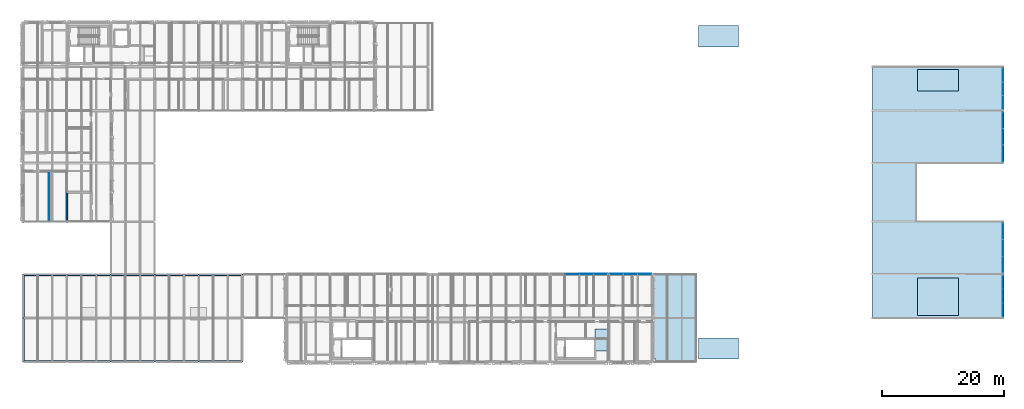
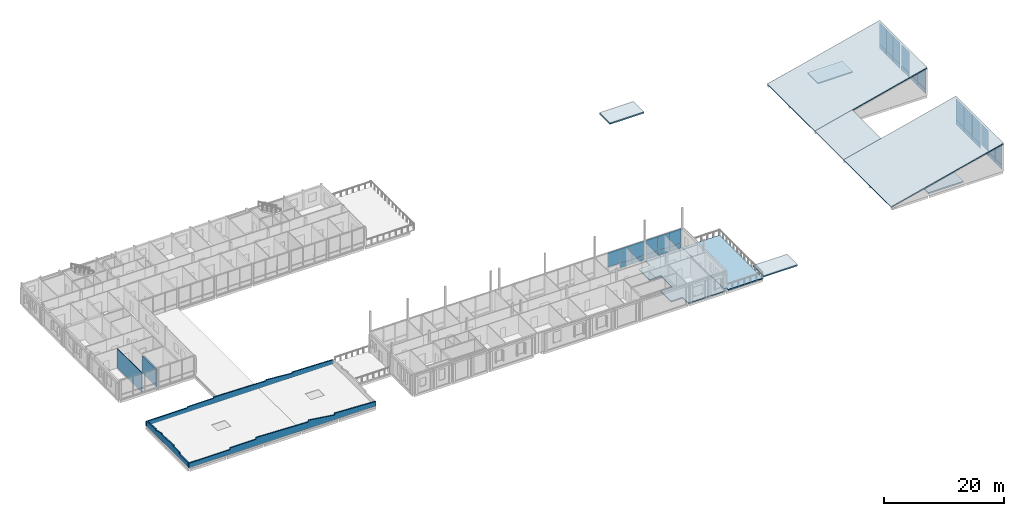
# One storey, part 35 of 57: 35 plates, 9 slabs, 5 walls, 6 elements without a shape of their own.
"""IFC4 building model written with IfcOpenShell, lengths in metres."""

from ifc_helpers import new_model, si_unit, direction, frame, frame_2d, origin, origin_2d, place, context, subcontext, project, spatial, polyline, rectangle, outline, extrude, material, layer, layer_set, type_object, element, aggregate, save


model = new_model("IFC4")

# Units and contexts
model_context = context("Model", 3, precision=1e-05, world=origin(), true_north=direction((0.0, 1.0)))
body_context = subcontext(model_context, "Body", "Model", "MODEL_VIEW")
ifc_project = project(units=[si_unit("LENGTHUNIT", "METRE"), si_unit("AREAUNIT", "SQUARE_METRE"), si_unit("VOLUMEUNIT", "CUBIC_METRE"), si_unit("PLANEANGLEUNIT", "RADIAN"), si_unit("MASSUNIT", "GRAM", prefix="KILO")], contexts=[model_context])

# Site, building, storey
site_placement = place(None, origin())
site = spatial("IfcSite", under=ifc_project, at=site_placement, CompositionType="ELEMENT")
building_placement = place(site_placement, origin())
building = spatial("IfcBuilding", under=site, at=building_placement, Name="Hawrajan Terrace Health Centre", CompositionType="ELEMENT")
storey_placement = place(building_placement, frame((0.0, 0.0, 13.199951171875)))
storey = spatial("IfcBuildingStorey", under=building, at=storey_placement, Name="L03", CompositionType="ELEMENT", Elevation=13.199951171875)

# Curtain wall, plates
ifc_material_1 = material(Name="Anodized bronze aluminium and low-E solar glazing", Category="aluminium")
curtain_wall_type_1 = type_object("IfcCurtainWallType", Name="CW_Pavilion_SeriesE1", PredefinedType="USERDEFINED", material=ifc_material_1)
curtain_wall_1_placement = place(storey_placement, origin())
curtain_wall_1 = element("IfcCurtainWall", 1, at=curtain_wall_1_placement, inside=storey, type_object=curtain_wall_type_1, Name="Curtain wall CW-L03-V6E-188", ObjectType="UNITISED CURTAIN WALL", PredefinedType="USERDEFINED")
ifc_material_2 = material(Name="Diffused north-light insulated glazing", Category="glass")
ifc_layer_1 = layer(ifc_material_2, 0.031982421875)
ifc_layer_set_1 = layer_set([ifc_layer_1], Name="Diffused north-light insulated glazing")
plate_type_1 = type_object("IfcPlateType", Name="ClerestoryGlassPanel_32", PredefinedType="CURTAIN_PANEL", material=ifc_layer_set_1)
plate_1_placement = place(storey_placement, frame((165.260009765625, 38.37841796875, 0.83154296875), z_axis=(0.0, 0.0, 1.0), x_axis=(0.0, 1.0, 0.0)))
plate_1 = element("IfcPlate", 2, at=plate_1_placement, type_object=plate_type_1, Name="Curtain panel CW-L03-V6E-188-P1-2", PredefinedType="CURTAIN_PANEL", context=body_context, shape_type="SweptSolid", body=[
    extrude(rectangle(XDim=2.65869140625, YDim=0.031982421875, at=origin_2d()), origin(), (0.0, 0.0, 1.0), 4.284912109375),
])
plate_2_placement = place(storey_placement, frame((165.260009765625, 41.10009765625, 0.83154296875), z_axis=(0.0, 0.0, 1.0), x_axis=(0.0, 1.0, 0.0)))
plate_2 = element("IfcPlate", 3, at=plate_2_placement, type_object=plate_type_1, Name="Curtain panel CW-L03-V6E-188-P2-2", PredefinedType="CURTAIN_PANEL", context=body_context, shape_type="SweptSolid", body=[
    extrude(rectangle(XDim=2.65869140625, YDim=0.031982421875, at=origin_2d()), origin(), (0.0, 0.0, 1.0), 4.284912109375),
])
plate_3_placement = place(storey_placement, frame((165.260009765625, 43.82177734375, 0.83154296875), z_axis=(0.0, 0.0, 1.0), x_axis=(0.0, 1.0, 0.0)))
plate_3 = element("IfcPlate", 4, at=plate_3_placement, type_object=plate_type_1, Name="Curtain panel CW-L03-V6E-188-P3-2", PredefinedType="CURTAIN_PANEL", context=body_context, shape_type="SweptSolid", body=[
    extrude(rectangle(XDim=2.65869140625, YDim=0.031982421875, at=origin_2d()), origin(), (0.0, 0.0, 1.0), 4.284912109375),
])

# Slabs
ifc_material_3 = material(Name="Cross-laminated timber CLT C24", Category="wood")
ifc_layer_2 = layer(ifc_material_3, 0.2099609375)
ifc_layer_set_2 = layer_set([ifc_layer_2], Name="Cross-laminated timber CLT C24")
slab_type_1 = type_object("IfcSlabType", Name="FloorSlab_CLT210", PredefinedType="FLOOR", material=ifc_layer_set_2)
slab_1_placement = place(storey_placement, frame((0.0, 0.0, -0.2099609375)))
element("IfcSlab", 5, at=slab_1_placement, inside=storey, type_object=slab_type_1, Name="Structural slab SL-L03-C-V3-Z4-1", PredefinedType="FLOOR", context=body_context, shape_type="SweptSolid", body=[
    extrude(outline(polyline([(100.8798828125, 18.320068359375), (100.8798828125, 18.60009765625), (107.800048828125, 18.60009765625), (107.800048828125, 11.39990234375), (107.800048828125, 4.75), (107.800048828125, 4.199951171875), (100.60205078125, 4.199951171875), (100.60205078125, 6.001953125), (98.39990234375, 6.001953125), (98.39990234375, 7.998046875), (98.402099609375, 7.998046875), (98.402099609375, 9.597900390625), (100.60205078125, 9.597900390625), (100.60205078125, 13.201904296875), (98.402099609375, 13.201904296875), (98.402099609375, 16.798095703125), (100.60205078125, 16.798095703125), (100.60205078125, 18.320068359375), (100.8798828125, 18.320068359375)])), origin(), (0.0, 0.0, 1.0), 0.2099609375),
])
ifc_layer_3 = layer(ifc_material_3, 0.199951171875)
ifc_layer_set_3 = layer_set([ifc_layer_3], Name="Cross-laminated timber CLT C24")
slab_type_2 = type_object("IfcSlabType", Name="RoofSlab_Shed200", PredefinedType="ROOF", material=ifc_layer_set_3)
slab_2_placement = place(storey_placement, frame((143.800048828125, 11.39990234375, 0.0), z_axis=(-0.24192399787, 0.0, 0.970295202119), x_axis=(0.970295202119, 0.0, 0.24192399787)))
element("IfcSlab", 6, at=slab_2_placement, inside=storey, type_object=slab_type_2, Name="Therapy Pavilion sloped roof SOUTH", PredefinedType="ROOF", context=body_context, shape_type="SweptSolid", body=[
    extrude(outline(polyline([(0.0, 0.0), (22.261115450699055, 0.0), (22.261115450699055, 15.800048828125), (0.0, 15.800048828125), (0.0, 0.0)])), origin(), (0.0, 0.0, -1.0), 0.199951171875),
])
slab_3_placement = place(storey_placement, frame((143.800048828125, 27.199951171875, 0.0), z_axis=(-0.24192399787, 0.0, 0.970295202119), x_axis=(0.970295202119, 0.0, 0.24192399787)))
element("IfcSlab", 7, at=slab_3_placement, inside=storey, type_object=slab_type_2, Name="Therapy Pavilion sloped roof WEST", PredefinedType="ROOF", context=body_context, shape_type="SweptSolid", body=[
    extrude(outline(polyline([(0.0, 0.0), (7.420371816899685, 0.0), (7.420371816899685, 9.600097656250002), (0.0, 9.600097656250002), (0.0, 0.0)])), origin(), (0.0, 0.0, -1.0), 0.199951171875),
])
slab_4_placement = place(storey_placement, frame((143.800048828125, 36.800048828125, 0.0), z_axis=(-0.24192399787, 0.0, 0.970295202119), x_axis=(0.970295202119, 0.0, 0.24192399787)))
element("IfcSlab", 8, at=slab_4_placement, inside=storey, type_object=slab_type_2, Name="Therapy Pavilion sloped roof NORTH", PredefinedType="ROOF", context=body_context, shape_type="SweptSolid", body=[
    extrude(outline(polyline([(0.0, 0.0), (22.261115450699055, 0.0), (22.261115450699055, 15.800048828125), (0.0, 15.800048828125), (0.0, 0.0)])), origin(), (0.0, 0.0, -1.0), 0.199951171875),
])
ifc_layer_4 = layer(ifc_material_3, 0.25)
ifc_layer_set_4 = layer_set([ifc_layer_4], Name="Cross-laminated timber CLT C24")
slab_type_3 = type_object("IfcSlabType", Name="RoofSlab_Ziggurat250", PredefinedType="ROOF", material=ifc_layer_set_4)
slab_5_placement = place(storey_placement, frame((0.0, 0.0, -0.25)))
element("IfcSlab", 9, at=slab_5_placement, inside=storey, type_object=slab_type_3, Name="Protected Stair S6 penthouse cap slab", PredefinedType="ROOF", context=body_context, shape_type="SweptSolid", body=[
    extrude(outline(polyline([(115.39990234375, 4.64990234375), (121.949951171875, 4.64990234375), (121.949951171875, 8.14990234375), (115.39990234375, 8.14990234375), (115.39990234375, 4.64990234375)])), origin(), (0.0, 0.0, 1.0), 0.25),
])
slab_6_placement = place(storey_placement, frame((0.0, 0.0, -0.25)))
element("IfcSlab", 10, at=slab_6_placement, inside=storey, type_object=slab_type_3, Name="Protected Stair S7 penthouse cap slab", PredefinedType="ROOF", context=body_context, shape_type="SweptSolid", body=[
    extrude(outline(polyline([(115.39990234375, 55.85009765625), (121.949951171875, 55.85009765625), (121.949951171875, 59.35009765625), (115.39990234375, 59.35009765625), (115.39990234375, 55.85009765625)])), origin(), (0.0, 0.0, 1.0), 0.25),
])
slab_7_placement = place(storey_placement, frame((0.0, 0.0, -0.25)))
element("IfcSlab", 11, at=slab_7_placement, inside=storey, type_object=slab_type_3, Name="Stair S8 and Lift LC-06 shaft cap slab", PredefinedType="ROOF", context=body_context, shape_type="SweptSolid", body=[
    extrude(outline(polyline([(151.25, 11.85009765625), (157.949951171875, 11.85009765625), (157.949951171875, 17.949951171875), (151.25, 17.949951171875), (151.25, 11.85009765625)])), origin(), (0.0, 0.0, 1.0), 0.25),
])
slab_8_placement = place(storey_placement, frame((0.0, 0.0, -0.25)))
element("IfcSlab", 12, at=slab_8_placement, inside=storey, type_object=slab_type_3, Name="Stair S9 shaft cap slab", PredefinedType="ROOF", context=body_context, shape_type="SweptSolid", body=[
    extrude(outline(polyline([(151.25, 48.64990234375), (157.949951171875, 48.64990234375), (157.949951171875, 52.14990234375), (151.25, 52.14990234375), (151.25, 48.64990234375)])), origin(), (0.0, 0.0, 1.0), 0.25),
])

# Curtain wall, plates
curtain_wall_type_2 = type_object("IfcCurtainWallType", Name="CW_Court_SeriesB1", PredefinedType="USERDEFINED", material=ifc_material_1)
curtain_wall_2_placement = place(storey_placement, origin())
curtain_wall_2 = element("IfcCurtainWall", 13, at=curtain_wall_2_placement, inside=storey, type_object=curtain_wall_type_2, Name="Curtain wall CW-L03-172", ObjectType="UNITISED CURTAIN WALL", PredefinedType="USERDEFINED")
ifc_material_4 = material(Name="Insulated anodized bronze spandrel panel")
ifc_layer_5 = layer(ifc_material_4, 0.048095703125)
ifc_layer_set_5 = layer_set([ifc_layer_5], Name="Insulated anodized bronze spandrel panel")
plate_type_2 = type_object("IfcPlateType", Name="SpandrelPanel_Bronze48", PredefinedType="CURTAIN_PANEL", material=ifc_layer_set_5)
plate_4_placement = place(storey_placement, frame((101.91162109375, 18.60009765625, 0.05908203125), z_axis=(0.0, 0.0, 1.0), x_axis=(1.0, 0.0, 0.0)))
plate_4 = element("IfcPlate", 14, at=plate_4_placement, type_object=plate_type_2, Name="Curtain panel CW-L03-172-P1-1", PredefinedType="CURTAIN_PANEL", context=body_context, shape_type="SweptSolid", body=[
    extrude(rectangle(XDim=2.225341796875, YDim=0.048095703125, at=origin_2d()), origin(), (0.0, 0.0, 1.0), 0.864501953125),
])
plate_5_placement = place(storey_placement, frame((104.18994140625, 18.60009765625, 0.05908203125), z_axis=(0.0, 0.0, 1.0), x_axis=(1.0, 0.0, 0.0)))
plate_5 = element("IfcPlate", 15, at=plate_5_placement, type_object=plate_type_2, Name="Curtain panel CW-L03-172-P2-1", PredefinedType="CURTAIN_PANEL", context=body_context, shape_type="SweptSolid", body=[
    extrude(rectangle(XDim=2.225341796875, YDim=0.048095703125, at=origin_2d()), origin(), (0.0, 0.0, 1.0), 0.864501953125),
])
plate_6_placement = place(storey_placement, frame((106.46826171875, 18.60009765625, 0.05908203125), z_axis=(0.0, 0.0, 1.0), x_axis=(1.0, 0.0, 0.0)))
plate_6 = element("IfcPlate", 16, at=plate_6_placement, type_object=plate_type_2, Name="Curtain panel CW-L03-172-P3-1", PredefinedType="CURTAIN_PANEL", context=body_context, shape_type="SweptSolid", body=[
    extrude(rectangle(XDim=2.225341796875, YDim=0.048095703125, at=origin_2d()), origin(), (0.0, 0.0, 1.0), 0.864501953125),
])

curtain_wall_3_placement = place(storey_placement, origin())
curtain_wall_3 = element("IfcCurtainWall", 17, at=curtain_wall_3_placement, inside=storey, type_object=curtain_wall_type_1, Name="Curtain wall CW-L03-V6E-186", ObjectType="UNITISED CURTAIN WALL", PredefinedType="USERDEFINED")
plate_7_placement = place(storey_placement, frame((165.260009765625, 12.74169921875, -0.0908203125), z_axis=(0.0, 0.0, 1.0), x_axis=(0.0, 1.0, 0.0)))
plate_7 = element("IfcPlate", 18, at=plate_7_placement, type_object=plate_type_2, Name="Curtain panel CW-L03-V6E-186-P1-1", PredefinedType="CURTAIN_PANEL", context=body_context, shape_type="SweptSolid", body=[
    extrude(rectangle(XDim=2.205322265625, YDim=0.048095703125, at=origin_2d()), origin(), (0.0, 0.0, 1.0), 0.864501953125),
])
plate_8_placement = place(storey_placement, frame((165.260009765625, 15.0, -0.0908203125), z_axis=(0.0, 0.0, 1.0), x_axis=(0.0, 1.0, 0.0)))
plate_8 = element("IfcPlate", 19, at=plate_8_placement, type_object=plate_type_2, Name="Curtain panel CW-L03-V6E-186-P2-1", PredefinedType="CURTAIN_PANEL", context=body_context, shape_type="SweptSolid", body=[
    extrude(rectangle(XDim=2.205322265625, YDim=0.048095703125, at=origin_2d()), origin(), (0.0, 0.0, 1.0), 0.864501953125),
])
plate_9_placement = place(storey_placement, frame((165.260009765625, 17.25830078125, -0.0908203125), z_axis=(0.0, 0.0, 1.0), x_axis=(0.0, 1.0, 0.0)))
plate_9 = element("IfcPlate", 20, at=plate_9_placement, type_object=plate_type_2, Name="Curtain panel CW-L03-V6E-186-P3-1", PredefinedType="CURTAIN_PANEL", context=body_context, shape_type="SweptSolid", body=[
    extrude(rectangle(XDim=2.205322265625, YDim=0.048095703125, at=origin_2d()), origin(), (0.0, 0.0, 1.0), 0.864501953125),
])

# Plate
plate_10_placement = place(storey_placement, frame((165.260009765625, 38.37841796875, -0.0810546875), z_axis=(0.0, 0.0, 1.0), x_axis=(0.0, 1.0, 0.0)))
plate_10 = element("IfcPlate", 21, at=plate_10_placement, type_object=plate_type_2, Name="Curtain panel CW-L03-V6E-188-P1-1", PredefinedType="CURTAIN_PANEL", context=body_context, shape_type="SweptSolid", body=[
    extrude(rectangle(XDim=2.65869140625, YDim=0.048095703125, at=origin_2d()), origin(), (0.0, 0.0, 1.0), 0.849609375),
])

plate_11_placement = place(storey_placement, frame((165.260009765625, 41.10009765625, -0.0810546875), z_axis=(0.0, 0.0, 1.0), x_axis=(0.0, 1.0, 0.0)))
plate_11 = element("IfcPlate", 22, at=plate_11_placement, type_object=plate_type_2, Name="Curtain panel CW-L03-V6E-188-P2-1", PredefinedType="CURTAIN_PANEL", context=body_context, shape_type="SweptSolid", body=[
    extrude(rectangle(XDim=2.65869140625, YDim=0.048095703125, at=origin_2d()), origin(), (0.0, 0.0, 1.0), 0.849609375),
])

plate_12_placement = place(storey_placement, frame((165.260009765625, 43.82177734375, -0.0810546875), z_axis=(0.0, 0.0, 1.0), x_axis=(0.0, 1.0, 0.0)))
plate_12 = element("IfcPlate", 23, at=plate_12_placement, type_object=plate_type_2, Name="Curtain panel CW-L03-V6E-188-P3-1", PredefinedType="CURTAIN_PANEL", context=body_context, shape_type="SweptSolid", body=[
    extrude(rectangle(XDim=2.65869140625, YDim=0.048095703125, at=origin_2d()), origin(), (0.0, 0.0, 1.0), 0.849609375),
])

aggregate(curtain_wall_1, [plate_10, plate_1, plate_11, plate_2, plate_12, plate_3])

# Curtain wall, plates
curtain_wall_type_3 = type_object("IfcCurtainWallType", Name="CW_Court_SeriesA3", PredefinedType="USERDEFINED", material=ifc_material_1)
curtain_wall_4_placement = place(storey_placement, origin())
curtain_wall_4 = element("IfcCurtainWall", 24, at=curtain_wall_4_placement, inside=storey, type_object=curtain_wall_type_3, Name="Curtain wall CW-L03-171", ObjectType="UNITISED CURTAIN WALL", PredefinedType="USERDEFINED")
ifc_material_5 = material(Name="Insulated reconstituted coral-stone spandrel", Category="masonry")
ifc_layer_6 = layer(ifc_material_5, 0.055908203125)
ifc_layer_set_6 = layer_set([ifc_layer_6], Name="Insulated reconstituted coral-stone spandrel")
plate_type_3 = type_object("IfcPlateType", Name="SpandrelPanel_Coral56", PredefinedType="CURTAIN_PANEL", material=ifc_layer_set_6)
plate_13_placement = place(storey_placement, frame((96.96435546875, 18.60009765625, 0.05908203125), z_axis=(0.0, 0.0, 1.0), x_axis=(1.0, 0.0, 0.0)))
plate_13 = element("IfcPlate", 25, at=plate_13_placement, type_object=plate_type_3, Name="Curtain panel CW-L03-171-P3-1", PredefinedType="CURTAIN_PANEL", context=body_context, shape_type="SweptSolid", body=[
    extrude(rectangle(XDim=2.255615234375, YDim=0.055908203125, at=origin_2d()), origin(), (0.0, 0.0, 1.0), 0.864501953125),
])
plate_14_placement = place(storey_placement, frame((99.273193359375, 18.60009765625, 0.05908203125), z_axis=(0.0, 0.0, 1.0), x_axis=(1.0, 0.0, 0.0)))
plate_14 = element("IfcPlate", 26, at=plate_14_placement, type_object=plate_type_3, Name="Curtain panel CW-L03-171-P4-1", PredefinedType="CURTAIN_PANEL", context=body_context, shape_type="SweptSolid", body=[
    extrude(rectangle(XDim=2.255859375, YDim=0.055908203125, at=origin_2d()), origin(), (0.0, 0.0, 1.0), 0.864501953125),
])

curtain_wall_5_placement = place(storey_placement, origin())
curtain_wall_5 = element("IfcCurtainWall", 27, at=curtain_wall_5_placement, inside=storey, type_object=curtain_wall_type_1, Name="Curtain wall CW-L03-V6E-187", ObjectType="UNITISED CURTAIN WALL", PredefinedType="USERDEFINED")
plate_15_placement = place(storey_placement, frame((165.260009765625, 20.175048828125, -0.0908203125), z_axis=(0.0, 0.0, 1.0), x_axis=(0.0, 1.0, 0.0)))
plate_15 = element("IfcPlate", 28, at=plate_15_placement, type_object=plate_type_3, Name="Curtain panel CW-L03-V6E-187-P1-1", PredefinedType="CURTAIN_PANEL", context=body_context, shape_type="SweptSolid", body=[
    extrude(rectangle(XDim=2.672119140625, YDim=0.055908203125, at=origin_2d()), origin(), (0.0, 0.0, 1.0), 0.864501953125),
])
plate_16_placement = place(storey_placement, frame((165.260009765625, 22.89990234375, -0.0908203125), z_axis=(0.0, 0.0, 1.0), x_axis=(0.0, 1.0, 0.0)))
plate_16 = element("IfcPlate", 29, at=plate_16_placement, type_object=plate_type_3, Name="Curtain panel CW-L03-V6E-187-P2-1", PredefinedType="CURTAIN_PANEL", context=body_context, shape_type="SweptSolid", body=[
    extrude(rectangle(XDim=2.672119140625, YDim=0.055908203125, at=origin_2d()), origin(), (0.0, 0.0, 1.0), 0.864501953125),
])
plate_17_placement = place(storey_placement, frame((165.260009765625, 25.625, -0.0908203125), z_axis=(0.0, 0.0, 1.0), x_axis=(0.0, 1.0, 0.0)))
plate_17 = element("IfcPlate", 30, at=plate_17_placement, type_object=plate_type_3, Name="Curtain panel CW-L03-V6E-187-P3-1", PredefinedType="CURTAIN_PANEL", context=body_context, shape_type="SweptSolid", body=[
    extrude(rectangle(XDim=2.672119140625, YDim=0.055908203125, at=origin_2d()), origin(), (0.0, 0.0, 1.0), 0.864501953125),
])

curtain_wall_6_placement = place(storey_placement, origin())
curtain_wall_6 = element("IfcCurtainWall", 31, at=curtain_wall_6_placement, inside=storey, type_object=curtain_wall_type_1, Name="Curtain wall CW-L03-V6E-189", ObjectType="UNITISED CURTAIN WALL", PredefinedType="USERDEFINED")
plate_18_placement = place(storey_placement, frame((165.260009765625, 46.74169921875, -0.0908203125), z_axis=(0.0, 0.0, 1.0), x_axis=(0.0, 1.0, 0.0)))
plate_18 = element("IfcPlate", 32, at=plate_18_placement, type_object=plate_type_3, Name="Curtain panel CW-L03-V6E-189-P1-1", PredefinedType="CURTAIN_PANEL", context=body_context, shape_type="SweptSolid", body=[
    extrude(rectangle(XDim=2.205322265625, YDim=0.055908203125, at=origin_2d()), origin(), (0.0, 0.0, 1.0), 0.864501953125),
])
plate_19_placement = place(storey_placement, frame((165.260009765625, 49.0, -0.0908203125), z_axis=(0.0, 0.0, 1.0), x_axis=(0.0, 1.0, 0.0)))
plate_19 = element("IfcPlate", 33, at=plate_19_placement, type_object=plate_type_3, Name="Curtain panel CW-L03-V6E-189-P2-1", PredefinedType="CURTAIN_PANEL", context=body_context, shape_type="SweptSolid", body=[
    extrude(rectangle(XDim=2.205322265625, YDim=0.055908203125, at=origin_2d()), origin(), (0.0, 0.0, 1.0), 0.864501953125),
])
plate_20_placement = place(storey_placement, frame((165.260009765625, 51.25830078125, -0.0908203125), z_axis=(0.0, 0.0, 1.0), x_axis=(0.0, 1.0, 0.0)))
plate_20 = element("IfcPlate", 34, at=plate_20_placement, type_object=plate_type_3, Name="Curtain panel CW-L03-V6E-189-P3-1", PredefinedType="CURTAIN_PANEL", context=body_context, shape_type="SweptSolid", body=[
    extrude(rectangle(XDim=2.205322265625, YDim=0.055908203125, at=origin_2d()), origin(), (0.0, 0.0, 1.0), 0.864501953125),
])

# Slab
ifc_layer_7 = layer(ifc_material_3, 0.219970703125)
ifc_layer_set_7 = layer_set([ifc_layer_7], Name="Cross-laminated timber CLT C24")
slab_type_4 = type_object("IfcSlabType", Name="TerraceDeck_CLT220", PredefinedType="FLOOR", material=ifc_layer_set_7)
slab_9_placement = place(storey_placement, frame((0.0, 0.0, -0.219970703125)))
element("IfcSlab", 35, at=slab_9_placement, inside=storey, type_object=slab_type_4, Name="External terrace deck TR-L03-TERR-L03-V3E-C-1", PredefinedType="FLOOR", context=body_context, shape_type="SweptSolid", body=[
    extrude(outline(polyline([(108.35009765625, 4.199951171875), (108.35009765625, 4.75), (107.800048828125, 4.75), (107.800048828125, 11.39990234375), (107.800048828125, 18.60009765625), (115.0, 18.60009765625), (115.0, 11.39990234375), (115.0, 4.47998046875), (115.0, 4.199951171875), (108.35009765625, 4.199951171875)])), origin(), (0.0, 0.0, 1.0), 0.219970703125),
])

# Plate
ifc_material_6 = material(Name="Double-glazed solar control low-E glass", Category="glass")
ifc_layer_8 = layer(ifc_material_6, 0.028076171875)
ifc_layer_set_8 = layer_set([ifc_layer_8], Name="Double-glazed solar control low-E glass")
plate_type_4 = type_object("IfcPlateType", Name="VisionGlassPanel_28", PredefinedType="CURTAIN_PANEL", material=ifc_layer_set_8)
plate_21_placement = place(storey_placement, frame((94.655517578125, 18.60009765625, 0.9765625), z_axis=(0.0, 0.0, 1.0), x_axis=(1.0, 0.0, 0.0)))
plate_21 = element("IfcPlate", 36, at=plate_21_placement, type_object=plate_type_4, Name="Curtain panel CW-L03-171-P2-2", PredefinedType="CURTAIN_PANEL", context=body_context, shape_type="SweptSolid", body=[
    extrude(rectangle(XDim=2.255615234375, YDim=0.028076171875, at=origin_2d()), origin(), (0.0, 0.0, 1.0), 2.964599609375),
])

plate_22_placement = place(storey_placement, frame((96.96435546875, 18.60009765625, 0.9765625), z_axis=(0.0, 0.0, 1.0), x_axis=(1.0, 0.0, 0.0)))
plate_22 = element("IfcPlate", 37, at=plate_22_placement, type_object=plate_type_4, Name="Curtain panel CW-L03-171-P3-2", PredefinedType="CURTAIN_PANEL", context=body_context, shape_type="SweptSolid", body=[
    extrude(rectangle(XDim=2.255615234375, YDim=0.028076171875, at=origin_2d()), origin(), (0.0, 0.0, 1.0), 2.964599609375),
])

plate_23_placement = place(storey_placement, frame((99.273193359375, 18.60009765625, 0.9765625), z_axis=(0.0, 0.0, 1.0), x_axis=(1.0, 0.0, 0.0)))
plate_23 = element("IfcPlate", 38, at=plate_23_placement, type_object=plate_type_4, Name="Curtain panel CW-L03-171-P4-2", PredefinedType="CURTAIN_PANEL", context=body_context, shape_type="SweptSolid", body=[
    extrude(rectangle(XDim=2.255859375, YDim=0.028076171875, at=origin_2d()), origin(), (0.0, 0.0, 1.0), 2.964599609375),
])

aggregate(curtain_wall_4, [plate_21, plate_13, plate_22, plate_14, plate_23])

plate_24_placement = place(storey_placement, frame((165.260009765625, 12.74169921875, 0.82666015625), z_axis=(0.0, 0.0, 1.0), x_axis=(0.0, 1.0, 0.0)))
plate_24 = element("IfcPlate", 39, at=plate_24_placement, type_object=plate_type_4, Name="Curtain panel CW-L03-V6E-186-P1-2", PredefinedType="CURTAIN_PANEL", context=body_context, shape_type="SweptSolid", body=[
    extrude(rectangle(XDim=2.205322265625, YDim=0.028076171875, at=origin_2d()), origin(), (0.0, 0.0, 1.0), 4.300048828125),
])

plate_25_placement = place(storey_placement, frame((165.260009765625, 15.0, 0.82666015625), z_axis=(0.0, 0.0, 1.0), x_axis=(0.0, 1.0, 0.0)))
plate_25 = element("IfcPlate", 40, at=plate_25_placement, type_object=plate_type_4, Name="Curtain panel CW-L03-V6E-186-P2-2", PredefinedType="CURTAIN_PANEL", context=body_context, shape_type="SweptSolid", body=[
    extrude(rectangle(XDim=2.205322265625, YDim=0.028076171875, at=origin_2d()), origin(), (0.0, 0.0, 1.0), 4.300048828125),
])

plate_26_placement = place(storey_placement, frame((165.260009765625, 17.25830078125, 0.82666015625), z_axis=(0.0, 0.0, 1.0), x_axis=(0.0, 1.0, 0.0)))
plate_26 = element("IfcPlate", 41, at=plate_26_placement, type_object=plate_type_4, Name="Curtain panel CW-L03-V6E-186-P3-2", PredefinedType="CURTAIN_PANEL", context=body_context, shape_type="SweptSolid", body=[
    extrude(rectangle(XDim=2.205322265625, YDim=0.028076171875, at=origin_2d()), origin(), (0.0, 0.0, 1.0), 4.300048828125),
])

aggregate(curtain_wall_3, [plate_7, plate_24, plate_8, plate_25, plate_9, plate_26])

plate_27_placement = place(storey_placement, frame((165.260009765625, 46.74169921875, 0.82666015625), z_axis=(0.0, 0.0, 1.0), x_axis=(0.0, 1.0, 0.0)))
plate_27 = element("IfcPlate", 42, at=plate_27_placement, type_object=plate_type_4, Name="Curtain panel CW-L03-V6E-189-P1-2", PredefinedType="CURTAIN_PANEL", context=body_context, shape_type="SweptSolid", body=[
    extrude(rectangle(XDim=2.205322265625, YDim=0.028076171875, at=origin_2d()), origin(), (0.0, 0.0, 1.0), 4.300048828125),
])

plate_28_placement = place(storey_placement, frame((165.260009765625, 49.0, 0.82666015625), z_axis=(0.0, 0.0, 1.0), x_axis=(0.0, 1.0, 0.0)))
plate_28 = element("IfcPlate", 43, at=plate_28_placement, type_object=plate_type_4, Name="Curtain panel CW-L03-V6E-189-P2-2", PredefinedType="CURTAIN_PANEL", context=body_context, shape_type="SweptSolid", body=[
    extrude(rectangle(XDim=2.205322265625, YDim=0.028076171875, at=origin_2d()), origin(), (0.0, 0.0, 1.0), 4.300048828125),
])

plate_29_placement = place(storey_placement, frame((165.260009765625, 51.25830078125, 0.82666015625), z_axis=(0.0, 0.0, 1.0), x_axis=(0.0, 1.0, 0.0)))
plate_29 = element("IfcPlate", 44, at=plate_29_placement, type_object=plate_type_4, Name="Curtain panel CW-L03-V6E-189-P3-2", PredefinedType="CURTAIN_PANEL", context=body_context, shape_type="SweptSolid", body=[
    extrude(rectangle(XDim=2.205322265625, YDim=0.028076171875, at=origin_2d()), origin(), (0.0, 0.0, 1.0), 4.300048828125),
])

aggregate(curtain_wall_6, [plate_18, plate_27, plate_19, plate_28, plate_20, plate_29])

ifc_material_7 = material(Name="Triple-glazed solar acoustic low-E glass", Category="glass")
ifc_layer_9 = layer(ifc_material_7, 0.035888671875)
ifc_layer_set_9 = layer_set([ifc_layer_9], Name="Triple-glazed solar acoustic low-E glass")
plate_type_5 = type_object("IfcPlateType", Name="VisionGlassPanel_36", PredefinedType="CURTAIN_PANEL", material=ifc_layer_set_9)
plate_30_placement = place(storey_placement, frame((101.91162109375, 18.60009765625, 0.9765625), z_axis=(0.0, 0.0, 1.0), x_axis=(1.0, 0.0, 0.0)))
plate_30 = element("IfcPlate", 45, at=plate_30_placement, type_object=plate_type_5, Name="Curtain panel CW-L03-172-P1-2", PredefinedType="CURTAIN_PANEL", context=body_context, shape_type="SweptSolid", body=[
    extrude(rectangle(XDim=2.225341796875, YDim=0.035888671875, at=origin_2d()), origin(), (0.0, 0.0, 1.0), 2.964599609375),
])

plate_31_placement = place(storey_placement, frame((104.18994140625, 18.60009765625, 0.9765625), z_axis=(0.0, 0.0, 1.0), x_axis=(1.0, 0.0, 0.0)))
plate_31 = element("IfcPlate", 46, at=plate_31_placement, type_object=plate_type_5, Name="Curtain panel CW-L03-172-P2-2", PredefinedType="CURTAIN_PANEL", context=body_context, shape_type="SweptSolid", body=[
    extrude(rectangle(XDim=2.225341796875, YDim=0.035888671875, at=origin_2d()), origin(), (0.0, 0.0, 1.0), 2.964599609375),
])

plate_32_placement = place(storey_placement, frame((106.46826171875, 18.60009765625, 0.9765625), z_axis=(0.0, 0.0, 1.0), x_axis=(1.0, 0.0, 0.0)))
plate_32 = element("IfcPlate", 47, at=plate_32_placement, type_object=plate_type_5, Name="Curtain panel CW-L03-172-P3-2", PredefinedType="CURTAIN_PANEL", context=body_context, shape_type="SweptSolid", body=[
    extrude(rectangle(XDim=2.225341796875, YDim=0.035888671875, at=origin_2d()), origin(), (0.0, 0.0, 1.0), 2.964599609375),
])

aggregate(curtain_wall_2, [plate_4, plate_30, plate_5, plate_31, plate_6, plate_32])

plate_33_placement = place(storey_placement, frame((165.260009765625, 20.175048828125, 0.82666015625), z_axis=(0.0, 0.0, 1.0), x_axis=(0.0, 1.0, 0.0)))
plate_33 = element("IfcPlate", 48, at=plate_33_placement, type_object=plate_type_5, Name="Curtain panel CW-L03-V6E-187-P1-2", PredefinedType="CURTAIN_PANEL", context=body_context, shape_type="SweptSolid", body=[
    extrude(rectangle(XDim=2.672119140625, YDim=0.035888671875, at=origin_2d()), origin(), (0.0, 0.0, 1.0), 4.300048828125),
])

plate_34_placement = place(storey_placement, frame((165.260009765625, 22.89990234375, 0.82666015625), z_axis=(0.0, 0.0, 1.0), x_axis=(0.0, 1.0, 0.0)))
plate_34 = element("IfcPlate", 49, at=plate_34_placement, type_object=plate_type_5, Name="Curtain panel CW-L03-V6E-187-P2-2", PredefinedType="CURTAIN_PANEL", context=body_context, shape_type="SweptSolid", body=[
    extrude(rectangle(XDim=2.672119140625, YDim=0.035888671875, at=origin_2d()), origin(), (0.0, 0.0, 1.0), 4.300048828125),
])

plate_35_placement = place(storey_placement, frame((165.260009765625, 25.625, 0.82666015625), z_axis=(0.0, 0.0, 1.0), x_axis=(0.0, 1.0, 0.0)))
plate_35 = element("IfcPlate", 50, at=plate_35_placement, type_object=plate_type_5, Name="Curtain panel CW-L03-V6E-187-P3-2", PredefinedType="CURTAIN_PANEL", context=body_context, shape_type="SweptSolid", body=[
    extrude(rectangle(XDim=2.672119140625, YDim=0.035888671875, at=origin_2d()), origin(), (0.0, 0.0, 1.0), 4.300048828125),
])

aggregate(curtain_wall_5, [plate_15, plate_33, plate_16, plate_34, plate_17, plate_35])

# Walls
ifc_material_8 = material(Name="Gypsum board on acoustic stud framing")
ifc_layer_10 = layer(ifc_material_8, 0.139892578125)
ifc_layer_set_10 = layer_set([ifc_layer_10], Name="Gypsum board on acoustic stud framing")
wall_type_1 = type_object("IfcWallType", Name="ClinicalAcousticWall_140", PredefinedType="PARTITIONING", material=ifc_layer_set_10)
wall_1_placement = place(storey_placement, frame((8.8701171875, 27.199951171875, 0.0), z_axis=(0.0, 0.0, 1.0), x_axis=(0.0, 1.0, 0.0)))
element("IfcWall", 51, at=wall_1_placement, inside=storey, type_object=wall_type_1, Name="Interior wall IW-L03-1284", PredefinedType="PARTITIONING", context=body_context, shape_type="SweptSolid", body=[
    extrude(rectangle(XDim=8.22998046875, YDim=0.139892578125, at=frame_2d((4.114990234375, 0.0))), origin(), (0.0, 0.0, 1.0), 3.929931640625),
])
ifc_material_9 = material(Name="Concrete C40/50", Category="concrete")
ifc_layer_11 = layer(ifc_material_9, 0.25)
ifc_layer_set_11 = layer_set([ifc_layer_11], Name="Concrete C40/50")
wall_type_2 = type_object("IfcWallType", Name="RadiationShieldWall_RC250", PredefinedType="SOLIDWALL", material=ifc_layer_set_11)
wall_2_placement = place(storey_placement, frame((11.800048828125, 27.340087890625, 0.0), z_axis=(0.0, 0.0, 1.0), x_axis=(0.0, 1.0, 0.0)))
element("IfcWall", 52, at=wall_2_placement, inside=storey, type_object=wall_type_2, Name="Interior wall IW-L03-1286", PredefinedType="SOLIDWALL", context=body_context, shape_type="SweptSolid", body=[
    extrude(rectangle(XDim=4.64599609375, YDim=0.25, at=frame_2d((2.322998046875, 0.0))), origin(), (0.0, 0.0, 1.0), 3.489990234375),
])
ifc_material_10 = material(Name="Precast concrete C40/50", Category="concrete")
ifc_layer_12 = layer(ifc_material_10, 0.22998046875)
ifc_layer_set_12 = layer_set([ifc_layer_12], Name="Precast concrete C40/50")
wall_type_3 = type_object("IfcWallType", Name="ZigguratParapet_230", PredefinedType="PARAPET", material=ifc_layer_set_12)
wall_3_placement = place(storey_placement, frame((4.60009765625, 4.320068359375, 0.0), z_axis=(0.0, 0.0, 1.0), x_axis=(1.0, 0.0, 0.0)))
element("IfcWall", 53, at=wall_3_placement, inside=storey, type_object=wall_type_3, Name="Stepped Art Deco parapet PAR-V4-L03-S", PredefinedType="PARAPET", context=body_context, shape_type="SweptSolid", body=[
    extrude(outline(polyline([(0.0, 0.0), (36.0, 0.0), (36.0, 0.949951171875), (28.080078125, 1.300048828125), (28.080078125, 0.949951171875), (23.0400390625, 1.650146484375), (23.0400390625, 1.300048828125), (12.9599609375, 1.650146484375), (12.9599609375, 1.300048828125), (7.919921875, 1.300048828125), (7.919921875, 0.949951171875), (0.0, 0.949951171875), (0.0, 0.0)])), frame((0.0, 0.114990234375, 0.0), z_axis=(0.0, -1.0, 0.0), x_axis=(1.0, 0.0, 0.0)), (0.0, 0.0, 1.0), 0.22998046875),
])
wall_4_placement = place(storey_placement, frame((4.719970703125, 4.320068359375, 0.0), z_axis=(0.0, 0.0, 1.0), x_axis=(0.0, 1.0, 0.0)))
element("IfcWall", 54, at=wall_4_placement, inside=storey, type_object=wall_type_3, Name="Stepped Art Deco parapet PAR-V4-L03-W", PredefinedType="PARAPET", context=body_context, shape_type="SweptSolid", body=[
    extrude(outline(polyline([(0.0, 0.0), (14.159912109375, 0.0), (14.159912109375, 0.949951171875), (11.044921875, 1.22509765625), (11.044921875, 0.949951171875), (9.0625, 1.5), (9.0625, 1.22509765625), (5.09765625, 1.5), (5.09765625, 1.22509765625), (3.115234375, 1.22509765625), (3.115234375, 0.949951171875), (0.0, 0.949951171875), (0.0, 0.0)])), frame((0.0, 0.114990234375, 0.0), z_axis=(0.0, -1.0, 0.0), x_axis=(1.0, 0.0, 0.0)), (0.0, 0.0, 1.0), 0.22998046875),
])
wall_5_placement = place(storey_placement, frame((4.60009765625, 18.47998046875, 0.0), z_axis=(0.0, 0.0, 1.0), x_axis=(1.0, 0.0, 0.0)))
element("IfcWall", 55, at=wall_5_placement, inside=storey, type_object=wall_type_3, Name="Stepped Art Deco parapet PAR-V4-L03-N", PredefinedType="PARAPET", context=body_context, shape_type="SweptSolid", body=[
    extrude(outline(polyline([(0.0, 0.0), (36.0, 0.0), (36.0, 0.85009765625), (28.080078125, 1.050048828125), (28.080078125, 0.85009765625), (23.0400390625, 1.25), (23.0400390625, 1.050048828125), (12.9599609375, 1.25), (12.9599609375, 1.050048828125), (7.919921875, 1.050048828125), (7.919921875, 0.85009765625), (0.0, 0.85009765625), (0.0, 0.0)])), frame((0.0, 0.114990234375, 0.0), z_axis=(0.0, -1.0, 0.0), x_axis=(1.0, 0.0, 0.0)), (0.0, 0.0, 1.0), 0.22998046875),
])

save(model, "model.ifc")
